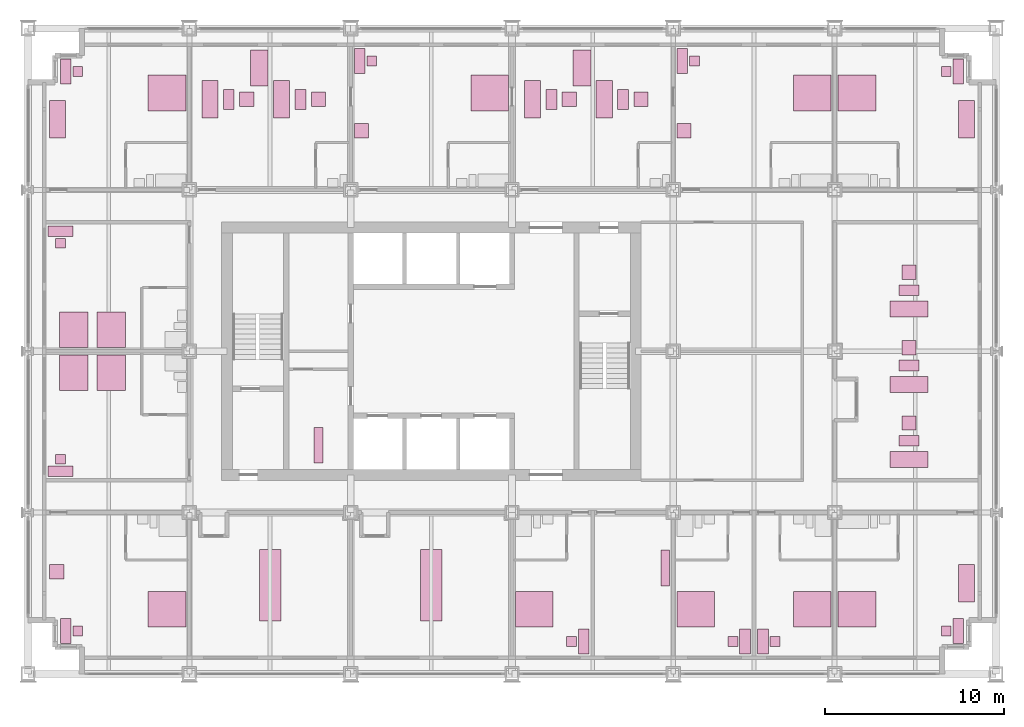
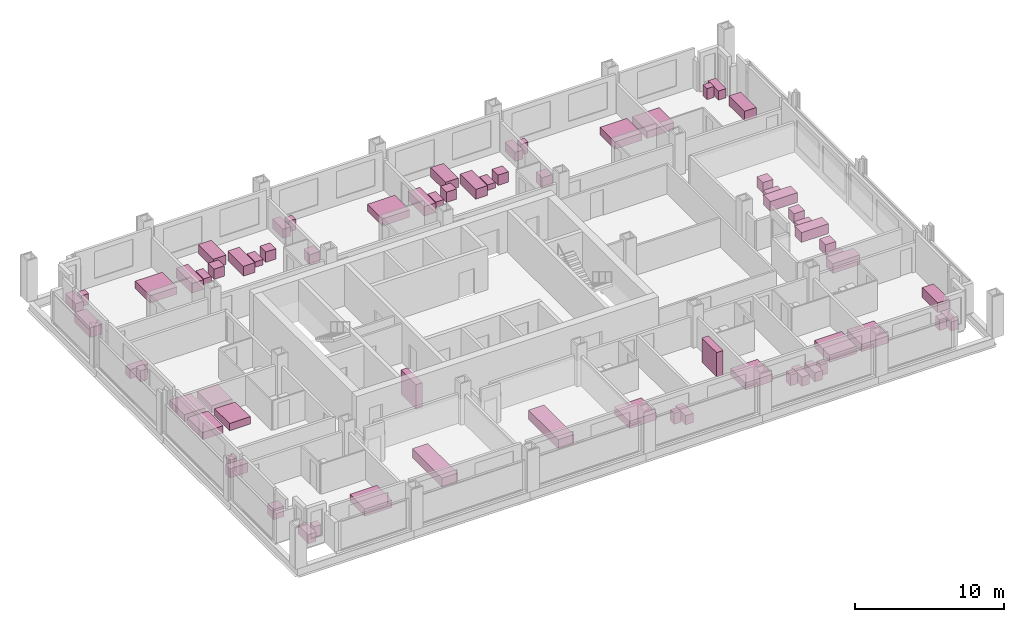
# One storey, part 18 of 18: 68 furniture elements.
"""IFC4 building model written with IfcOpenShell, lengths in metres."""

from ifc_helpers import new_model, si_unit, direction, frame, origin, origin_2d, place, context, subcontext, project, spatial, rectangle, extrude, element, save


model = new_model("IFC4")

# Units and contexts
model_context = context("Model", 3, precision=1e-05, world=origin(), true_north=direction((0.0, 1.0)))
body_context = subcontext(model_context, "Body", "Model", "MODEL_VIEW")
ifc_project = project(units=[si_unit("LENGTHUNIT", "METRE"), si_unit("AREAUNIT", "SQUARE_METRE"), si_unit("VOLUMEUNIT", "CUBIC_METRE"), si_unit("PLANEANGLEUNIT", "RADIAN"), si_unit("MASSUNIT", "GRAM", prefix="KILO")], contexts=[model_context])

# Site, building, storey
site_placement = place(None, origin())
site = spatial("IfcSite", under=ifc_project, at=site_placement, CompositionType="ELEMENT")
building_placement = place(site_placement, origin())
building = spatial("IfcBuilding", under=site, at=building_placement, Name="Loomwork Tower", CompositionType="ELEMENT")
storey_placement = place(building_placement, frame((0.0, 0.0, 28.0)))
storey = spatial("IfcBuildingStorey", under=building, at=storey_placement, Name="L05", CompositionType="ELEMENT", Elevation=28.0)

# Furniture
furniture_1_placement = place(storey_placement, frame((7.75, 3.60009765625, 0.0), z_axis=(0.0, 0.0, 1.0), x_axis=(1.0, 0.0, 0.0)))
element("IfcFurniture", 1, at=furniture_1_placement, inside=storey, Name="King bed L05", PredefinedType="BED", context=body_context, shape_type="SweptSolid", body=[
    extrude(rectangle(XDim=2.10009765625, YDim=2.0, at=origin_2d()), origin(), (0.0, 0.0, 1.0), 0.60009765625),
])
furniture_2_placement = place(storey_placement, frame((2.10009765625, 2.39990234375, 0.0), z_axis=(0.0, 0.0, 1.0), x_axis=(1.0, 0.0, 0.0)))
element("IfcFurniture", 2, at=furniture_2_placement, inside=storey, Name="Writing desk L05", PredefinedType="DESK", context=body_context, shape_type="SweptSolid", body=[
    extrude(rectangle(XDim=0.60009765625, YDim=1.39990234375, at=origin_2d()), origin(), (0.0, 0.0, 1.0), 0.75),
])
furniture_3_placement = place(storey_placement, frame((2.77490234375, 2.39990234375, 0.0), z_axis=(0.0, 0.0, 1.0), x_axis=(1.0, 0.0, 0.0)))
element("IfcFurniture", 3, at=furniture_3_placement, inside=storey, Name="Desk chair L05", PredefinedType="CHAIR", context=body_context, shape_type="SweptSolid", body=[
    extrude(rectangle(XDim=0.550048828125, YDim=0.550048828125, at=origin_2d()), origin(), (0.0, 0.0, 1.0), 0.89990234375),
])
furniture_4_placement = place(storey_placement, frame((1.60009765625, 5.699951171875, 0.0), z_axis=(0.0, 0.0, 1.0), x_axis=(1.0, 0.0, 0.0)))
element("IfcFurniture", 4, at=furniture_4_placement, inside=storey, Name="Lounge armchair L05", PredefinedType="CHAIR", context=body_context, shape_type="SweptSolid", body=[
    extrude(rectangle(XDim=0.800048828125, YDim=0.800048828125, at=origin_2d()), origin(), (0.0, 0.0, 1.0), 0.85009765625),
])
for number, where, z_axis, x_axis, name in (
    (5, (13.5, 4.949951171875, 0.0), (0.0, 0.0, 1.0), (1.0, 0.0, 0.0), "Meeting table L05"),
    (6, (22.5, 4.949951171875, 0.0), (0.0, 0.0, 1.0), (1.0, 0.0, 0.0), "Meeting table L05"),
):
    element("IfcFurniture", number, at=place(storey_placement, frame(where, z_axis=z_axis, x_axis=x_axis)), inside=storey, Name=name, PredefinedType="TABLE", context=body_context, shape_type="SweptSolid", body=[
        extrude(rectangle(XDim=1.199951171875, YDim=4.0, at=origin_2d()), origin(), (0.0, 0.0, 1.0), 0.75),
    ])
furniture_5_placement = place(storey_placement, frame((28.25, 3.60009765625, 0.0), z_axis=(0.0, 0.0, 1.0), x_axis=(1.0, 0.0, 0.0)))
element("IfcFurniture", 7, at=furniture_5_placement, inside=storey, Name="King bed L05", PredefinedType="BED", context=body_context, shape_type="SweptSolid", body=[
    extrude(rectangle(XDim=2.10009765625, YDim=2.0, at=origin_2d()), origin(), (0.0, 0.0, 1.0), 0.60009765625),
])
furniture_6_placement = place(storey_placement, frame((31.0, 1.800048828125, 0.0), z_axis=(0.0, 0.0, 1.0), x_axis=(1.0, 0.0, 0.0)))
element("IfcFurniture", 8, at=furniture_6_placement, inside=storey, Name="Writing desk L05", PredefinedType="DESK", context=body_context, shape_type="SweptSolid", body=[
    extrude(rectangle(XDim=0.60009765625, YDim=1.39990234375, at=origin_2d()), origin(), (0.0, 0.0, 1.0), 0.75),
])
furniture_7_placement = place(storey_placement, frame((30.324951171875, 1.800048828125, 0.0), z_axis=(0.0, 0.0, 1.0), x_axis=(1.0, 0.0, 0.0)))
element("IfcFurniture", 9, at=furniture_7_placement, inside=storey, Name="Desk chair L05", PredefinedType="CHAIR", context=body_context, shape_type="SweptSolid", body=[
    extrude(rectangle(XDim=0.550048828125, YDim=0.550048828125, at=origin_2d()), origin(), (0.0, 0.0, 1.0), 0.89990234375),
])
furniture_8_placement = place(storey_placement, frame((35.550048828125, 5.89990234375, 0.0), z_axis=(0.0, 0.0, 1.0), x_axis=(1.0, 0.0, 0.0)))
element("IfcFurniture", 10, at=furniture_8_placement, inside=storey, Name="Linen shelving L05", PredefinedType="SHELF", context=body_context, shape_type="SweptSolid", body=[
    extrude(rectangle(XDim=0.5, YDim=2.0, at=origin_2d()), origin(), (0.0, 0.0, 1.0), 2.0),
])
furniture_9_placement = place(storey_placement, frame((37.25, 3.60009765625, 0.0), z_axis=(0.0, 0.0, 1.0), x_axis=(1.0, 0.0, 0.0)))
element("IfcFurniture", 11, at=furniture_9_placement, inside=storey, Name="King bed L05", PredefinedType="BED", context=body_context, shape_type="SweptSolid", body=[
    extrude(rectangle(XDim=2.10009765625, YDim=2.0, at=origin_2d()), origin(), (0.0, 0.0, 1.0), 0.60009765625),
])
furniture_10_placement = place(storey_placement, frame((40.0, 1.800048828125, 0.0), z_axis=(0.0, 0.0, 1.0), x_axis=(1.0, 0.0, 0.0)))
element("IfcFurniture", 12, at=furniture_10_placement, inside=storey, Name="Writing desk L05", PredefinedType="DESK", context=body_context, shape_type="SweptSolid", body=[
    extrude(rectangle(XDim=0.60009765625, YDim=1.39990234375, at=origin_2d()), origin(), (0.0, 0.0, 1.0), 0.75),
])
furniture_11_placement = place(storey_placement, frame((39.324951171875, 1.800048828125, 0.0), z_axis=(0.0, 0.0, 1.0), x_axis=(1.0, 0.0, 0.0)))
element("IfcFurniture", 13, at=furniture_11_placement, inside=storey, Name="Desk chair L05", PredefinedType="CHAIR", context=body_context, shape_type="SweptSolid", body=[
    extrude(rectangle(XDim=0.550048828125, YDim=0.550048828125, at=origin_2d()), origin(), (0.0, 0.0, 1.0), 0.89990234375),
])
furniture_12_placement = place(storey_placement, frame((43.75, 3.60009765625, 0.0), z_axis=(0.0, 0.0, 1.0), x_axis=(1.0, 0.0, 0.0)))
element("IfcFurniture", 14, at=furniture_12_placement, inside=storey, Name="King bed L05", PredefinedType="BED", context=body_context, shape_type="SweptSolid", body=[
    extrude(rectangle(XDim=2.10009765625, YDim=2.0, at=origin_2d()), origin(), (0.0, 0.0, 1.0), 0.60009765625),
])
furniture_13_placement = place(storey_placement, frame((41.0, 1.800048828125, 0.0), z_axis=(0.0, 0.0, 1.0), x_axis=(1.0, 0.0, 0.0)))
element("IfcFurniture", 15, at=furniture_13_placement, inside=storey, Name="Writing desk L05", PredefinedType="DESK", context=body_context, shape_type="SweptSolid", body=[
    extrude(rectangle(XDim=0.60009765625, YDim=1.39990234375, at=origin_2d()), origin(), (0.0, 0.0, 1.0), 0.75),
])
furniture_14_placement = place(storey_placement, frame((41.675048828125, 1.800048828125, 0.0), z_axis=(0.0, 0.0, 1.0), x_axis=(1.0, 0.0, 0.0)))
element("IfcFurniture", 16, at=furniture_14_placement, inside=storey, Name="Desk chair L05", PredefinedType="CHAIR", context=body_context, shape_type="SweptSolid", body=[
    extrude(rectangle(XDim=0.550048828125, YDim=0.550048828125, at=origin_2d()), origin(), (0.0, 0.0, 1.0), 0.89990234375),
])
furniture_15_placement = place(storey_placement, frame((46.25, 3.60009765625, 0.0), z_axis=(0.0, 0.0, 1.0), x_axis=(1.0, 0.0, 0.0)))
element("IfcFurniture", 17, at=furniture_15_placement, inside=storey, Name="King bed L05", PredefinedType="BED", context=body_context, shape_type="SweptSolid", body=[
    extrude(rectangle(XDim=2.10009765625, YDim=2.0, at=origin_2d()), origin(), (0.0, 0.0, 1.0), 0.60009765625),
])
furniture_16_placement = place(storey_placement, frame((51.89990234375, 2.39990234375, 0.0), z_axis=(0.0, 0.0, 1.0), x_axis=(1.0, 0.0, 0.0)))
element("IfcFurniture", 18, at=furniture_16_placement, inside=storey, Name="Writing desk L05", PredefinedType="DESK", context=body_context, shape_type="SweptSolid", body=[
    extrude(rectangle(XDim=0.60009765625, YDim=1.39990234375, at=origin_2d()), origin(), (0.0, 0.0, 1.0), 0.75),
])
furniture_17_placement = place(storey_placement, frame((51.22509765625, 2.39990234375, 0.0), z_axis=(0.0, 0.0, 1.0), x_axis=(1.0, 0.0, 0.0)))
element("IfcFurniture", 19, at=furniture_17_placement, inside=storey, Name="Desk chair L05", PredefinedType="CHAIR", context=body_context, shape_type="SweptSolid", body=[
    extrude(rectangle(XDim=0.550048828125, YDim=0.550048828125, at=origin_2d()), origin(), (0.0, 0.0, 1.0), 0.89990234375),
])
furniture_18_placement = place(storey_placement, frame((52.35009765625, 5.050048828125, 0.0), z_axis=(0.0, 0.0, 1.0), x_axis=(1.0, 0.0, 0.0)))
element("IfcFurniture", 20, at=furniture_18_placement, inside=storey, Name="Sofa L05", PredefinedType="SOFA", context=body_context, shape_type="SweptSolid", body=[
    extrude(rectangle(XDim=0.89990234375, YDim=2.10009765625, at=origin_2d()), origin(), (0.0, 0.0, 1.0), 0.800048828125),
])
furniture_19_placement = place(storey_placement, frame((7.75, 32.39990234375, 0.0), z_axis=(0.0, 0.0, 1.0), x_axis=(1.0, 0.0, 0.0)))
element("IfcFurniture", 21, at=furniture_19_placement, inside=storey, Name="King bed L05", PredefinedType="BED", context=body_context, shape_type="SweptSolid", body=[
    extrude(rectangle(XDim=2.10009765625, YDim=2.0, at=origin_2d()), origin(), (0.0, 0.0, 1.0), 0.60009765625),
])
furniture_20_placement = place(storey_placement, frame((2.10009765625, 33.60009765625, 0.0), z_axis=(0.0, 0.0, 1.0), x_axis=(1.0, 0.0, 0.0)))
element("IfcFurniture", 22, at=furniture_20_placement, inside=storey, Name="Writing desk L05", PredefinedType="DESK", context=body_context, shape_type="SweptSolid", body=[
    extrude(rectangle(XDim=0.60009765625, YDim=1.39990234375, at=origin_2d()), origin(), (0.0, 0.0, 1.0), 0.75),
])
furniture_21_placement = place(storey_placement, frame((2.77490234375, 33.60009765625, 0.0), z_axis=(0.0, 0.0, 1.0), x_axis=(1.0, 0.0, 0.0)))
element("IfcFurniture", 23, at=furniture_21_placement, inside=storey, Name="Desk chair L05", PredefinedType="CHAIR", context=body_context, shape_type="SweptSolid", body=[
    extrude(rectangle(XDim=0.550048828125, YDim=0.550048828125, at=origin_2d()), origin(), (0.0, 0.0, 1.0), 0.89990234375),
])
for number, where, z_axis, x_axis, name in (
    (24, (1.64990234375, 30.949951171875, 0.0), (0.0, 0.0, 1.0), (1.0, 0.0, 0.0), "Sofa L05"),
    (25, (10.14990234375, 32.050048828125, 0.0), (0.0, 0.0, 1.0), (1.0, 0.0, 0.0), "Sofa L05"),
):
    element("IfcFurniture", number, at=place(storey_placement, frame(where, z_axis=z_axis, x_axis=x_axis)), inside=storey, Name=name, PredefinedType="SOFA", context=body_context, shape_type="SweptSolid", body=[
        extrude(rectangle(XDim=0.89990234375, YDim=2.10009765625, at=origin_2d()), origin(), (0.0, 0.0, 1.0), 0.800048828125),
    ])
furniture_22_placement = place(storey_placement, frame((11.199951171875, 32.050048828125, 0.0), z_axis=(0.0, 0.0, 1.0), x_axis=(1.0, 0.0, 0.0)))
element("IfcFurniture", 26, at=furniture_22_placement, inside=storey, Name="Coffee table L05", PredefinedType="TABLE", context=body_context, shape_type="SweptSolid", body=[
    extrude(rectangle(XDim=0.60009765625, YDim=1.10009765625, at=origin_2d()), origin(), (0.0, 0.0, 1.0), 0.449951171875),
])
furniture_23_placement = place(storey_placement, frame((12.199951171875, 32.050048828125, 0.0), z_axis=(0.0, 0.0, 1.0), x_axis=(1.0, 0.0, 0.0)))
element("IfcFurniture", 27, at=furniture_23_placement, inside=storey, Name="Lounge armchair L05", PredefinedType="CHAIR", context=body_context, shape_type="SweptSolid", body=[
    extrude(rectangle(XDim=0.800048828125, YDim=0.800048828125, at=origin_2d()), origin(), (0.0, 0.0, 1.0), 0.85009765625),
])
furniture_24_placement = place(storey_placement, frame((14.14990234375, 32.050048828125, 0.0), z_axis=(0.0, 0.0, 1.0), x_axis=(1.0, 0.0, 0.0)))
element("IfcFurniture", 28, at=furniture_24_placement, inside=storey, Name="Sofa L05", PredefinedType="SOFA", context=body_context, shape_type="SweptSolid", body=[
    extrude(rectangle(XDim=0.89990234375, YDim=2.10009765625, at=origin_2d()), origin(), (0.0, 0.0, 1.0), 0.800048828125),
])
furniture_25_placement = place(storey_placement, frame((15.199951171875, 32.050048828125, 0.0), z_axis=(0.0, 0.0, 1.0), x_axis=(1.0, 0.0, 0.0)))
element("IfcFurniture", 29, at=furniture_25_placement, inside=storey, Name="Coffee table L05", PredefinedType="TABLE", context=body_context, shape_type="SweptSolid", body=[
    extrude(rectangle(XDim=0.60009765625, YDim=1.10009765625, at=origin_2d()), origin(), (0.0, 0.0, 1.0), 0.449951171875),
])
furniture_26_placement = place(storey_placement, frame((16.199951171875, 32.050048828125, 0.0), z_axis=(0.0, 0.0, 1.0), x_axis=(1.0, 0.0, 0.0)))
element("IfcFurniture", 30, at=furniture_26_placement, inside=storey, Name="Lounge armchair L05", PredefinedType="CHAIR", context=body_context, shape_type="SweptSolid", body=[
    extrude(rectangle(XDim=0.800048828125, YDim=0.800048828125, at=origin_2d()), origin(), (0.0, 0.0, 1.0), 0.85009765625),
])
furniture_27_placement = place(storey_placement, frame((12.89990234375, 33.800048828125, 0.0), z_axis=(0.0, 0.0, 1.0), x_axis=(1.0, 0.0, 0.0)))
element("IfcFurniture", 31, at=furniture_27_placement, inside=storey, Name="Dining table L05", PredefinedType="TABLE", context=body_context, shape_type="SweptSolid", body=[
    extrude(rectangle(XDim=1.0, YDim=2.0, at=origin_2d()), origin(), (0.0, 0.0, 1.0), 0.75),
])
furniture_28_placement = place(storey_placement, frame((25.75, 32.39990234375, 0.0), z_axis=(0.0, 0.0, 1.0), x_axis=(1.0, 0.0, 0.0)))
element("IfcFurniture", 32, at=furniture_28_placement, inside=storey, Name="King bed L05", PredefinedType="BED", context=body_context, shape_type="SweptSolid", body=[
    extrude(rectangle(XDim=2.10009765625, YDim=2.0, at=origin_2d()), origin(), (0.0, 0.0, 1.0), 0.60009765625),
])
furniture_29_placement = place(storey_placement, frame((18.5, 34.199951171875, 0.0), z_axis=(0.0, 0.0, 1.0), x_axis=(1.0, 0.0, 0.0)))
element("IfcFurniture", 33, at=furniture_29_placement, inside=storey, Name="Writing desk L05", PredefinedType="DESK", context=body_context, shape_type="SweptSolid", body=[
    extrude(rectangle(XDim=0.60009765625, YDim=1.39990234375, at=origin_2d()), origin(), (0.0, 0.0, 1.0), 0.75),
])
furniture_30_placement = place(storey_placement, frame((19.175048828125, 34.199951171875, 0.0), z_axis=(0.0, 0.0, 1.0), x_axis=(1.0, 0.0, 0.0)))
element("IfcFurniture", 34, at=furniture_30_placement, inside=storey, Name="Desk chair L05", PredefinedType="CHAIR", context=body_context, shape_type="SweptSolid", body=[
    extrude(rectangle(XDim=0.550048828125, YDim=0.550048828125, at=origin_2d()), origin(), (0.0, 0.0, 1.0), 0.89990234375),
])
furniture_31_placement = place(storey_placement, frame((18.60009765625, 30.300048828125, 0.0), z_axis=(0.0, 0.0, 1.0), x_axis=(1.0, 0.0, 0.0)))
element("IfcFurniture", 35, at=furniture_31_placement, inside=storey, Name="Lounge armchair L05", PredefinedType="CHAIR", context=body_context, shape_type="SweptSolid", body=[
    extrude(rectangle(XDim=0.800048828125, YDim=0.800048828125, at=origin_2d()), origin(), (0.0, 0.0, 1.0), 0.85009765625),
])
furniture_32_placement = place(storey_placement, frame((28.14990234375, 32.050048828125, 0.0), z_axis=(0.0, 0.0, 1.0), x_axis=(1.0, 0.0, 0.0)))
element("IfcFurniture", 36, at=furniture_32_placement, inside=storey, Name="Sofa L05", PredefinedType="SOFA", context=body_context, shape_type="SweptSolid", body=[
    extrude(rectangle(XDim=0.89990234375, YDim=2.10009765625, at=origin_2d()), origin(), (0.0, 0.0, 1.0), 0.800048828125),
])
furniture_33_placement = place(storey_placement, frame((29.199951171875, 32.050048828125, 0.0), z_axis=(0.0, 0.0, 1.0), x_axis=(1.0, 0.0, 0.0)))
element("IfcFurniture", 37, at=furniture_33_placement, inside=storey, Name="Coffee table L05", PredefinedType="TABLE", context=body_context, shape_type="SweptSolid", body=[
    extrude(rectangle(XDim=0.60009765625, YDim=1.10009765625, at=origin_2d()), origin(), (0.0, 0.0, 1.0), 0.449951171875),
])
furniture_34_placement = place(storey_placement, frame((30.199951171875, 32.050048828125, 0.0), z_axis=(0.0, 0.0, 1.0), x_axis=(1.0, 0.0, 0.0)))
element("IfcFurniture", 38, at=furniture_34_placement, inside=storey, Name="Lounge armchair L05", PredefinedType="CHAIR", context=body_context, shape_type="SweptSolid", body=[
    extrude(rectangle(XDim=0.800048828125, YDim=0.800048828125, at=origin_2d()), origin(), (0.0, 0.0, 1.0), 0.85009765625),
])
furniture_35_placement = place(storey_placement, frame((32.14990234375, 32.050048828125, 0.0), z_axis=(0.0, 0.0, 1.0), x_axis=(1.0, 0.0, 0.0)))
element("IfcFurniture", 39, at=furniture_35_placement, inside=storey, Name="Sofa L05", PredefinedType="SOFA", context=body_context, shape_type="SweptSolid", body=[
    extrude(rectangle(XDim=0.89990234375, YDim=2.10009765625, at=origin_2d()), origin(), (0.0, 0.0, 1.0), 0.800048828125),
])
furniture_36_placement = place(storey_placement, frame((33.199951171875, 32.050048828125, 0.0), z_axis=(0.0, 0.0, 1.0), x_axis=(1.0, 0.0, 0.0)))
element("IfcFurniture", 40, at=furniture_36_placement, inside=storey, Name="Coffee table L05", PredefinedType="TABLE", context=body_context, shape_type="SweptSolid", body=[
    extrude(rectangle(XDim=0.60009765625, YDim=1.10009765625, at=origin_2d()), origin(), (0.0, 0.0, 1.0), 0.449951171875),
])
furniture_37_placement = place(storey_placement, frame((34.199951171875, 32.050048828125, 0.0), z_axis=(0.0, 0.0, 1.0), x_axis=(1.0, 0.0, 0.0)))
element("IfcFurniture", 41, at=furniture_37_placement, inside=storey, Name="Lounge armchair L05", PredefinedType="CHAIR", context=body_context, shape_type="SweptSolid", body=[
    extrude(rectangle(XDim=0.800048828125, YDim=0.800048828125, at=origin_2d()), origin(), (0.0, 0.0, 1.0), 0.85009765625),
])
furniture_38_placement = place(storey_placement, frame((30.89990234375, 33.800048828125, 0.0), z_axis=(0.0, 0.0, 1.0), x_axis=(1.0, 0.0, 0.0)))
element("IfcFurniture", 42, at=furniture_38_placement, inside=storey, Name="Dining table L05", PredefinedType="TABLE", context=body_context, shape_type="SweptSolid", body=[
    extrude(rectangle(XDim=1.0, YDim=2.0, at=origin_2d()), origin(), (0.0, 0.0, 1.0), 0.75),
])
furniture_39_placement = place(storey_placement, frame((43.75, 32.39990234375, 0.0), z_axis=(0.0, 0.0, 1.0), x_axis=(1.0, 0.0, 0.0)))
element("IfcFurniture", 43, at=furniture_39_placement, inside=storey, Name="King bed L05", PredefinedType="BED", context=body_context, shape_type="SweptSolid", body=[
    extrude(rectangle(XDim=2.10009765625, YDim=2.0, at=origin_2d()), origin(), (0.0, 0.0, 1.0), 0.60009765625),
])
furniture_40_placement = place(storey_placement, frame((36.5, 34.199951171875, 0.0), z_axis=(0.0, 0.0, 1.0), x_axis=(1.0, 0.0, 0.0)))
element("IfcFurniture", 44, at=furniture_40_placement, inside=storey, Name="Writing desk L05", PredefinedType="DESK", context=body_context, shape_type="SweptSolid", body=[
    extrude(rectangle(XDim=0.60009765625, YDim=1.39990234375, at=origin_2d()), origin(), (0.0, 0.0, 1.0), 0.75),
])
furniture_41_placement = place(storey_placement, frame((37.175048828125, 34.199951171875, 0.0), z_axis=(0.0, 0.0, 1.0), x_axis=(1.0, 0.0, 0.0)))
element("IfcFurniture", 45, at=furniture_41_placement, inside=storey, Name="Desk chair L05", PredefinedType="CHAIR", context=body_context, shape_type="SweptSolid", body=[
    extrude(rectangle(XDim=0.550048828125, YDim=0.550048828125, at=origin_2d()), origin(), (0.0, 0.0, 1.0), 0.89990234375),
])
furniture_42_placement = place(storey_placement, frame((36.60009765625, 30.300048828125, 0.0), z_axis=(0.0, 0.0, 1.0), x_axis=(1.0, 0.0, 0.0)))
element("IfcFurniture", 46, at=furniture_42_placement, inside=storey, Name="Lounge armchair L05", PredefinedType="CHAIR", context=body_context, shape_type="SweptSolid", body=[
    extrude(rectangle(XDim=0.800048828125, YDim=0.800048828125, at=origin_2d()), origin(), (0.0, 0.0, 1.0), 0.85009765625),
])
furniture_43_placement = place(storey_placement, frame((46.25, 32.39990234375, 0.0), z_axis=(0.0, 0.0, 1.0), x_axis=(1.0, 0.0, 0.0)))
element("IfcFurniture", 47, at=furniture_43_placement, inside=storey, Name="King bed L05", PredefinedType="BED", context=body_context, shape_type="SweptSolid", body=[
    extrude(rectangle(XDim=2.10009765625, YDim=2.0, at=origin_2d()), origin(), (0.0, 0.0, 1.0), 0.60009765625),
])
furniture_44_placement = place(storey_placement, frame((51.89990234375, 33.60009765625, 0.0), z_axis=(0.0, 0.0, 1.0), x_axis=(1.0, 0.0, 0.0)))
element("IfcFurniture", 48, at=furniture_44_placement, inside=storey, Name="Writing desk L05", PredefinedType="DESK", context=body_context, shape_type="SweptSolid", body=[
    extrude(rectangle(XDim=0.60009765625, YDim=1.39990234375, at=origin_2d()), origin(), (0.0, 0.0, 1.0), 0.75),
])
furniture_45_placement = place(storey_placement, frame((51.22509765625, 33.60009765625, 0.0), z_axis=(0.0, 0.0, 1.0), x_axis=(1.0, 0.0, 0.0)))
element("IfcFurniture", 49, at=furniture_45_placement, inside=storey, Name="Desk chair L05", PredefinedType="CHAIR", context=body_context, shape_type="SweptSolid", body=[
    extrude(rectangle(XDim=0.550048828125, YDim=0.550048828125, at=origin_2d()), origin(), (0.0, 0.0, 1.0), 0.89990234375),
])
furniture_46_placement = place(storey_placement, frame((52.35009765625, 30.949951171875, 0.0), z_axis=(0.0, 0.0, 1.0), x_axis=(1.0, 0.0, 0.0)))
element("IfcFurniture", 50, at=furniture_46_placement, inside=storey, Name="Sofa L05", PredefinedType="SOFA", context=body_context, shape_type="SweptSolid", body=[
    extrude(rectangle(XDim=0.89990234375, YDim=2.10009765625, at=origin_2d()), origin(), (0.0, 0.0, 1.0), 0.800048828125),
])
for number, where, z_axis, x_axis, name in (
    (51, (4.64990234375, 16.800048828125, 0.0), (0.0, 0.0, 1.0), (1.0, 0.0, 0.0), "Queen bed L05"),
    (52, (2.550048828125, 16.800048828125, 0.0), (0.0, 0.0, 1.0), (1.0, 0.0, 0.0), "Queen bed L05"),
):
    element("IfcFurniture", number, at=place(storey_placement, frame(where, z_axis=z_axis, x_axis=x_axis)), inside=storey, Name=name, PredefinedType="BED", context=body_context, shape_type="SweptSolid", body=[
        extrude(rectangle(XDim=1.60009765625, YDim=2.0, at=origin_2d()), origin(), (0.0, 0.0, 1.0), 0.60009765625),
    ])
furniture_47_placement = place(storey_placement, frame((1.800048828125, 11.300048828125, 0.0), z_axis=(0.0, 0.0, 1.0), x_axis=(1.0, 0.0, 0.0)))
element("IfcFurniture", 53, at=furniture_47_placement, inside=storey, Name="Writing desk L05", PredefinedType="DESK", context=body_context, shape_type="SweptSolid", body=[
    extrude(rectangle(XDim=1.39990234375, YDim=0.60009765625, at=origin_2d()), origin(), (0.0, 0.0, 1.0), 0.75),
])
furniture_48_placement = place(storey_placement, frame((1.800048828125, 11.97509765625, 0.0), z_axis=(0.0, 0.0, 1.0), x_axis=(1.0, 0.0, 0.0)))
element("IfcFurniture", 54, at=furniture_48_placement, inside=storey, Name="Desk chair L05", PredefinedType="CHAIR", context=body_context, shape_type="SweptSolid", body=[
    extrude(rectangle(XDim=0.550048828125, YDim=0.550048828125, at=origin_2d()), origin(), (0.0, 0.0, 1.0), 0.89990234375),
])
for number, where, z_axis, x_axis, name in (
    (55, (4.64990234375, 19.199951171875, 0.0), (0.0, 0.0, 1.0), (1.0, 0.0, 0.0), "Queen bed L05"),
    (56, (2.550048828125, 19.199951171875, 0.0), (0.0, 0.0, 1.0), (1.0, 0.0, 0.0), "Queen bed L05"),
):
    element("IfcFurniture", number, at=place(storey_placement, frame(where, z_axis=z_axis, x_axis=x_axis)), inside=storey, Name=name, PredefinedType="BED", context=body_context, shape_type="SweptSolid", body=[
        extrude(rectangle(XDim=1.60009765625, YDim=2.0, at=origin_2d()), origin(), (0.0, 0.0, 1.0), 0.60009765625),
    ])
furniture_49_placement = place(storey_placement, frame((1.800048828125, 24.699951171875, 0.0), z_axis=(0.0, 0.0, 1.0), x_axis=(1.0, 0.0, 0.0)))
element("IfcFurniture", 57, at=furniture_49_placement, inside=storey, Name="Writing desk L05", PredefinedType="DESK", context=body_context, shape_type="SweptSolid", body=[
    extrude(rectangle(XDim=1.39990234375, YDim=0.60009765625, at=origin_2d()), origin(), (0.0, 0.0, 1.0), 0.75),
])
furniture_50_placement = place(storey_placement, frame((1.800048828125, 24.02490234375, 0.0), z_axis=(0.0, 0.0, 1.0), x_axis=(1.0, 0.0, 0.0)))
element("IfcFurniture", 58, at=furniture_50_placement, inside=storey, Name="Desk chair L05", PredefinedType="CHAIR", context=body_context, shape_type="SweptSolid", body=[
    extrude(rectangle(XDim=0.550048828125, YDim=0.550048828125, at=origin_2d()), origin(), (0.0, 0.0, 1.0), 0.89990234375),
])
furniture_51_placement = place(storey_placement, frame((49.14990234375, 11.949951171875, 0.0), z_axis=(0.0, 0.0, 1.0), x_axis=(1.0, 0.0, 0.0)))
element("IfcFurniture", 59, at=furniture_51_placement, inside=storey, Name="Sofa L05", PredefinedType="SOFA", context=body_context, shape_type="SweptSolid", body=[
    extrude(rectangle(XDim=2.10009765625, YDim=0.89990234375, at=origin_2d()), origin(), (0.0, 0.0, 1.0), 0.800048828125),
])
furniture_52_placement = place(storey_placement, frame((49.14990234375, 13.0, 0.0), z_axis=(0.0, 0.0, 1.0), x_axis=(1.0, 0.0, 0.0)))
element("IfcFurniture", 60, at=furniture_52_placement, inside=storey, Name="Coffee table L05", PredefinedType="TABLE", context=body_context, shape_type="SweptSolid", body=[
    extrude(rectangle(XDim=1.10009765625, YDim=0.60009765625, at=origin_2d()), origin(), (0.0, 0.0, 1.0), 0.449951171875),
])
furniture_53_placement = place(storey_placement, frame((49.14990234375, 14.0, 0.0), z_axis=(0.0, 0.0, 1.0), x_axis=(1.0, 0.0, 0.0)))
element("IfcFurniture", 61, at=furniture_53_placement, inside=storey, Name="Lounge armchair L05", PredefinedType="CHAIR", context=body_context, shape_type="SweptSolid", body=[
    extrude(rectangle(XDim=0.800048828125, YDim=0.800048828125, at=origin_2d()), origin(), (0.0, 0.0, 1.0), 0.85009765625),
])
furniture_54_placement = place(storey_placement, frame((49.14990234375, 16.14990234375, 0.0), z_axis=(0.0, 0.0, 1.0), x_axis=(1.0, 0.0, 0.0)))
element("IfcFurniture", 62, at=furniture_54_placement, inside=storey, Name="Sofa L05", PredefinedType="SOFA", context=body_context, shape_type="SweptSolid", body=[
    extrude(rectangle(XDim=2.10009765625, YDim=0.89990234375, at=origin_2d()), origin(), (0.0, 0.0, 1.0), 0.800048828125),
])
furniture_55_placement = place(storey_placement, frame((49.14990234375, 17.199951171875, 0.0), z_axis=(0.0, 0.0, 1.0), x_axis=(1.0, 0.0, 0.0)))
element("IfcFurniture", 63, at=furniture_55_placement, inside=storey, Name="Coffee table L05", PredefinedType="TABLE", context=body_context, shape_type="SweptSolid", body=[
    extrude(rectangle(XDim=1.10009765625, YDim=0.60009765625, at=origin_2d()), origin(), (0.0, 0.0, 1.0), 0.449951171875),
])
furniture_56_placement = place(storey_placement, frame((49.14990234375, 18.199951171875, 0.0), z_axis=(0.0, 0.0, 1.0), x_axis=(1.0, 0.0, 0.0)))
element("IfcFurniture", 64, at=furniture_56_placement, inside=storey, Name="Lounge armchair L05", PredefinedType="CHAIR", context=body_context, shape_type="SweptSolid", body=[
    extrude(rectangle(XDim=0.800048828125, YDim=0.800048828125, at=origin_2d()), origin(), (0.0, 0.0, 1.0), 0.85009765625),
])
furniture_57_placement = place(storey_placement, frame((49.14990234375, 20.35009765625, 0.0), z_axis=(0.0, 0.0, 1.0), x_axis=(1.0, 0.0, 0.0)))
element("IfcFurniture", 65, at=furniture_57_placement, inside=storey, Name="Sofa L05", PredefinedType="SOFA", context=body_context, shape_type="SweptSolid", body=[
    extrude(rectangle(XDim=2.10009765625, YDim=0.89990234375, at=origin_2d()), origin(), (0.0, 0.0, 1.0), 0.800048828125),
])
furniture_58_placement = place(storey_placement, frame((49.14990234375, 21.39990234375, 0.0), z_axis=(0.0, 0.0, 1.0), x_axis=(1.0, 0.0, 0.0)))
element("IfcFurniture", 66, at=furniture_58_placement, inside=storey, Name="Coffee table L05", PredefinedType="TABLE", context=body_context, shape_type="SweptSolid", body=[
    extrude(rectangle(XDim=1.10009765625, YDim=0.60009765625, at=origin_2d()), origin(), (0.0, 0.0, 1.0), 0.449951171875),
])
furniture_59_placement = place(storey_placement, frame((49.14990234375, 22.39990234375, 0.0), z_axis=(0.0, 0.0, 1.0), x_axis=(1.0, 0.0, 0.0)))
element("IfcFurniture", 67, at=furniture_59_placement, inside=storey, Name="Lounge armchair L05", PredefinedType="CHAIR", context=body_context, shape_type="SweptSolid", body=[
    extrude(rectangle(XDim=0.800048828125, YDim=0.800048828125, at=origin_2d()), origin(), (0.0, 0.0, 1.0), 0.85009765625),
])
furniture_60_placement = place(storey_placement, frame((16.199951171875, 12.75, 0.0), z_axis=(0.0, 0.0, 1.0), x_axis=(1.0, 0.0, 0.0)))
element("IfcFurniture", 68, at=furniture_60_placement, inside=storey, Name="Linen shelving L05", PredefinedType="SHELF", context=body_context, shape_type="SweptSolid", body=[
    extrude(rectangle(XDim=0.5, YDim=2.0, at=origin_2d()), origin(), (0.0, 0.0, 1.0), 2.0),
])

save(model, "model.ifc")
